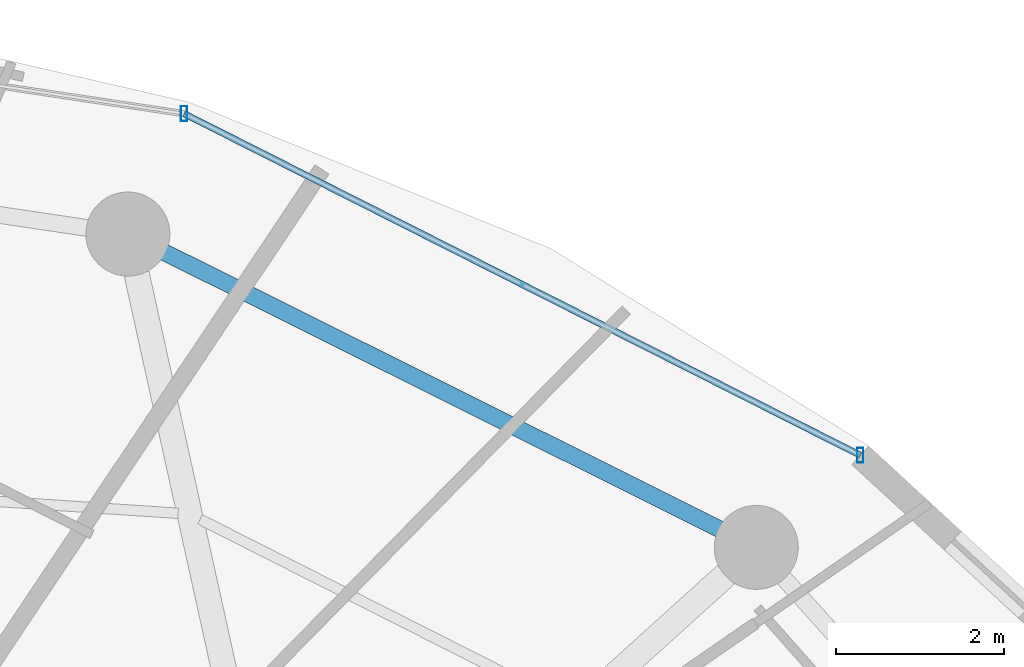
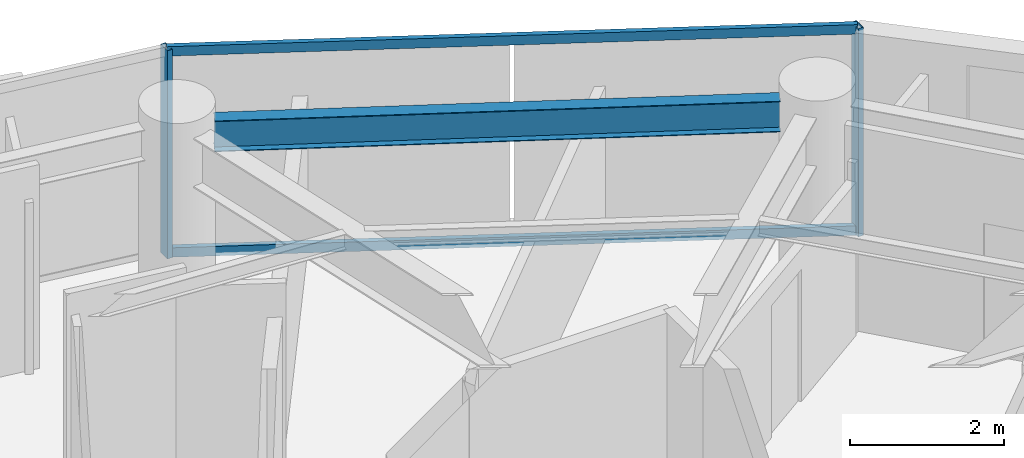
# One storey, part 18 of 29: 4 members, 1 beam, 1 element without a shape of its own.
"""IFC4 building model written with IfcOpenShell, lengths in metres."""

from ifc_helpers import new_model, si_unit, direction, frame, origin, origin_2d, place, context, subcontext, project, spatial, hollow_rectangle, i_section, extrude, material, material_profile, profile_set, type_object, element, aggregate, save


model = new_model("IFC4")

# Units and contexts
model_context = context("Model", 3, precision=1e-05, world=origin(), true_north=direction((0.0, 1.0)))
body_context = subcontext(model_context, "Body", "Model", "MODEL_VIEW")
ifc_project = project(units=[si_unit("LENGTHUNIT", "METRE"), si_unit("AREAUNIT", "SQUARE_METRE"), si_unit("VOLUMEUNIT", "CUBIC_METRE"), si_unit("PLANEANGLEUNIT", "RADIAN"), si_unit("MASSUNIT", "GRAM", prefix="KILO")], contexts=[model_context])

# Site, building, storey
site_placement = place(None, origin())
site = spatial("IfcSite", under=ifc_project, at=site_placement, CompositionType="ELEMENT")
building_placement = place(site_placement, origin())
building = spatial("IfcBuilding", under=site, at=building_placement, Name="Vorneva Point Tower", CompositionType="ELEMENT")
storey_placement = place(building_placement, frame((0.0, 0.0, 150.10009765625)))
storey = spatial("IfcBuildingStorey", under=building, at=storey_placement, Name="L40", CompositionType="ELEMENT", Elevation=150.10009765625)

# Beam
ifc_material_1 = material(Name="Steel S355", Category="steel")
ifc_material_profile_1 = material_profile(ifc_material_1, i_section(OverallWidth=0.199951171875, OverallDepth=0.491943359375, WebThickness=0.0087890625, FlangeThickness=0.011962890625, at=origin_2d()), Name="50B1")
ifc_profile_set_1 = profile_set([ifc_material_profile_1], Name="Steel S355")
beam_type = type_object("IfcBeamType", Name="BM-SPN-50B1", PredefinedType="SPANDREL", material=ifc_profile_set_1)
beam_placement = place(storey_placement, frame((53.86474609375, 38.378662109375, 2.993896484375), z_axis=(-0.894929061397, 0.446208443518, 0.0), x_axis=(-0.446208443518, -0.894929061397, 0.0)))
element("IfcBeam", 1, at=beam_placement, inside=storey, type_object=beam_type, Name="L40 Perimeter Spandrel Ring Beam 03", PredefinedType="SPANDREL", context=body_context, shape_type="SweptSolid", body=[
    extrude(i_section(OverallWidth=0.199951171875, OverallDepth=0.491943359375, WebThickness=0.0087890625, FlangeThickness=0.011962890625, at=origin_2d()), origin(), (0.0, 0.0, 1.0), 7.385986328125),
])

# Curtain wall, members
ifc_material_2 = material(Name="Pale anodised aluminium", Category="aluminium")
curtain_wall_type = type_object("IfcCurtainWallType", Name="CW-RES-SYS", PredefinedType="NOTDEFINED", material=ifc_material_2)
curtain_wall_placement = place(storey_placement, origin())
curtain_wall = element("IfcCurtainWall", 2, at=curtain_wall_placement, inside=storey, type_object=curtain_wall_type, Name="L40 Unitised Curtain Wall CW-L40-R02", PredefinedType="NOTDEFINED")
ifc_material_profile_2 = material_profile(ifc_material_2, hollow_rectangle(XDim=0.074951171875, YDim=0.179931640625, WallThickness=0.00390625, at=origin_2d()), Name="AL-MUL 180x75x4")
ifc_profile_set_2 = profile_set([ifc_material_profile_2], Name="Pale anodised aluminium")
member_type_1 = type_object("IfcMemberType", Name="CW-MUL-180", PredefinedType="MULLION", material=ifc_profile_set_2)
member_1_placement = place(storey_placement, frame((55.5361328125, 39.25830078125, -0.0400390625), z_axis=(0.0, 0.0, 1.0), x_axis=(1.0, 0.0, 0.0)))
member_1 = element("IfcMember", 3, at=member_1_placement, type_object=member_type_1, Name="CW-L40-R02 Mullion 01", PredefinedType="MULLION", context=body_context, shape_type="SweptSolid", body=[
    extrude(hollow_rectangle(XDim=0.074951171875, YDim=0.179931640625, WallThickness=0.00390625, at=origin_2d()), origin(), (0.0, 0.0, 1.0), 3.31005859375),
])
member_2_placement = place(storey_placement, frame((47.490478515625, 43.32275390625, -0.0400390625), z_axis=(0.0, 0.0, 1.0), x_axis=(1.0, 0.0, 0.0)))
member_2 = element("IfcMember", 4, at=member_2_placement, type_object=member_type_1, Name="CW-L40-R02 Mullion 02", PredefinedType="MULLION", context=body_context, shape_type="SweptSolid", body=[
    extrude(hollow_rectangle(XDim=0.074951171875, YDim=0.179931640625, WallThickness=0.00390625, at=origin_2d()), origin(), (0.0, 0.0, 1.0), 3.31005859375),
])
ifc_material_profile_3 = material_profile(ifc_material_2, hollow_rectangle(XDim=0.074951171875, YDim=0.14990234375, WallThickness=0.00390625, at=origin_2d()), Name="AL-TRN 150x75x4")
ifc_profile_set_3 = profile_set([ifc_material_profile_3], Name="Pale anodised aluminium")
member_type_2 = type_object("IfcMemberType", Name="CW-TRN-150", PredefinedType="USERDEFINED", material=ifc_profile_set_3)
member_3_placement = place(storey_placement, frame((55.5361328125, 39.25830078125, 0.02001953125), z_axis=(-0.892572392955, 0.450904117673, 0.0), x_axis=(-0.450904117673, -0.892572392955, 0.0)))
member_3 = element("IfcMember", 5, at=member_3_placement, type_object=member_type_2, Name="CW-L40-R02 Transom 01.1", ObjectType="TRANSOM", PredefinedType="USERDEFINED", context=body_context, shape_type="SweptSolid", body=[
    extrude(hollow_rectangle(XDim=0.074951171875, YDim=0.14990234375, WallThickness=0.00390625, at=origin_2d()), origin(), (0.0, 0.0, 1.0), 9.013916015625),
])
member_4_placement = place(storey_placement, frame((55.5361328125, 39.25830078125, 3.219970703125), z_axis=(-0.892572392955, 0.450904117673, 0.0), x_axis=(-0.450904117673, -0.892572392955, 0.0)))
member_4 = element("IfcMember", 6, at=member_4_placement, type_object=member_type_2, Name="CW-L40-R02 Transom 01.2", ObjectType="TRANSOM", PredefinedType="USERDEFINED", context=body_context, shape_type="SweptSolid", body=[
    extrude(hollow_rectangle(XDim=0.074951171875, YDim=0.14990234375, WallThickness=0.00390625, at=origin_2d()), origin(), (0.0, 0.0, 1.0), 9.013916015625),
])
aggregate(curtain_wall, [member_1, member_2, member_3, member_4])

save(model, "model.ifc")
